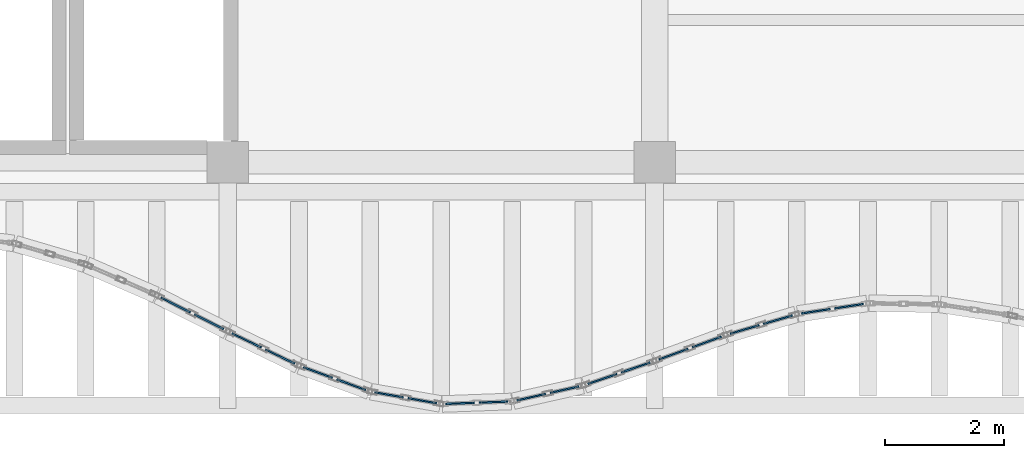
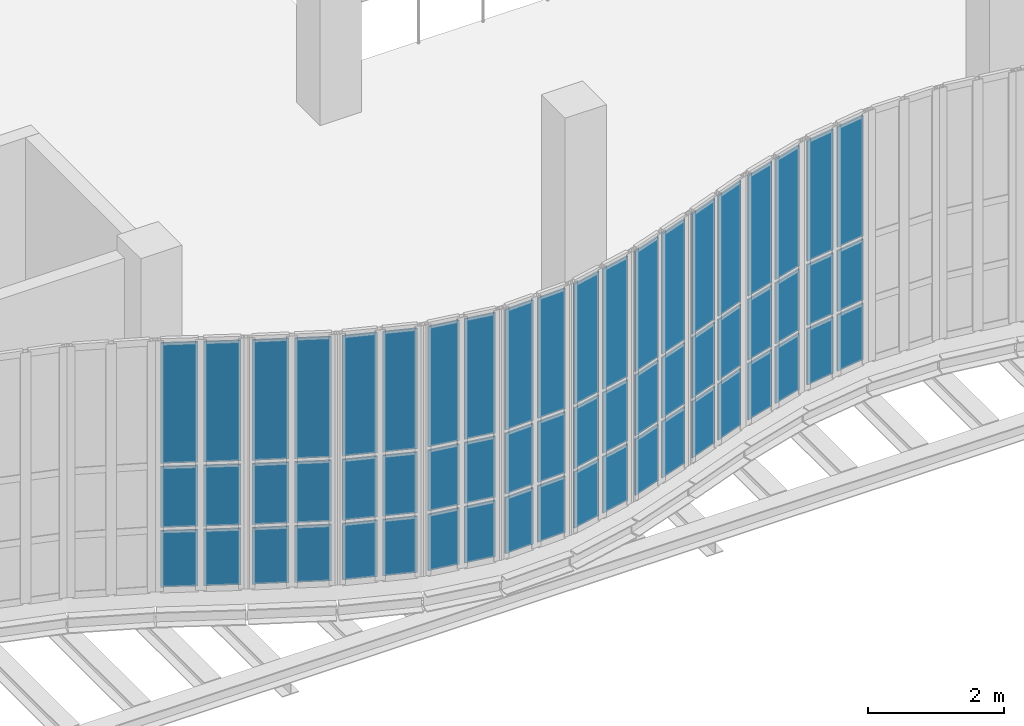
# One storey, part 77 of 108: 60 plates, 10 elements without a shape of their own.
"""IFC4 building model written with IfcOpenShell, lengths in metres."""

import ifcopenshell
import ifcopenshell.guid

model = None  # the IFC model being written
_history = None  # IfcOwnerHistory: only IFC2X3 demands one
_inside = {}  # id of a spatial element -> (the spatial element, [elements in it])
_under = {}  # id of a project, library or spatial element -> (it, [spatial elements below it])
_declared = {}  # id of a project -> (the project, [libraries it declares])
_typed = {}  # id of a type object -> (the type object, [elements of that type])
_made_of = {}  # id of a material, layer set ... -> (it, [elements and type objects made of it])


def new_model(schema):
    """Start an empty IFC model of exactly this schema.

    Asked for "IFC4X3", IfcOpenShell would pick the latest addendum, in which some entities
    have other attributes; the version numbers below select the first issue.
    IFC2X3 requires an IfcOwnerHistory on every rooted entity: one is made here for all.
    """
    global model, _history
    if schema == "IFC4X3":
        model = ifcopenshell.file(schema_version=(4, 3, 0, 0))
    else:
        model = ifcopenshell.file(schema=schema)
    _inside.clear()
    _under.clear()
    _declared.clear()
    _typed.clear()
    _made_of.clear()
    _history = None
    if model.schema == "IFC2X3":
        org = make("IfcOrganization", Name="unknown")
        user = make(
            "IfcPersonAndOrganization",
            ThePerson=make("IfcPerson", FamilyName="unknown"),
            TheOrganization=org,
        )
        app = make(
            "IfcApplication",
            ApplicationDeveloper=org,
            Version="unknown",
            ApplicationFullName="unknown",
            ApplicationIdentifier="unknown",
        )
        _history = make(
            "IfcOwnerHistory",
            OwningUser=user,
            OwningApplication=app,
            ChangeAction="ADDED",
            CreationDate=0,
        )
    return model


def make(cls, **values):
    """One entity of the class cls with the attributes given. An attribute that is None is left unset."""
    return model.create_entity(
        cls, **{name: value for name, value in values.items() if value is not None}
    )


def rooted(cls, **values):
    """An entity with a GlobalId (a new one), such as an element, a storey or a relation."""
    return make(cls, GlobalId=ifcopenshell.guid.new(), OwnerHistory=_history, **values)


def si_unit(unit_type, name, prefix=None):
    """IfcSIUnit, for example si_unit("LENGTHUNIT", "METRE", prefix="MILLI")."""
    return make("IfcSIUnit", UnitType=unit_type, Prefix=prefix, Name=name)


def assignment(units):
    """IfcUnitAssignment: the units of a project."""
    return None if units is None else make("IfcUnitAssignment", Units=units)


def point(xyz):
    """IfcCartesianPoint."""
    return None if xyz is None else make("IfcCartesianPoint", Coordinates=xyz)


def direction(xyz):
    """IfcDirection."""
    return None if xyz is None else make("IfcDirection", DirectionRatios=xyz)


def frame(location, z_axis=None, x_axis=None):
    """IfcAxis2Placement3D, a coordinate frame: its origin and axes. An axis left out is left unset."""
    return make(
        "IfcAxis2Placement3D",
        Location=point(location),
        Axis=direction(z_axis),
        RefDirection=direction(x_axis),
    )


def frame_2d(location, x_axis=None):
    """IfcAxis2Placement2D, a coordinate frame in the plane: its origin and x axis."""
    return make(
        "IfcAxis2Placement2D", Location=point(location), RefDirection=direction(x_axis)
    )


def origin():
    """The frame at (0, 0, 0) with its axes left unset."""
    return frame((0.0, 0.0, 0.0))


def origin_2d():
    """The frame at (0, 0) in the plane with its x axis left unset."""
    return frame_2d((0.0, 0.0))


def place(relative_to, where):
    """IfcLocalPlacement: puts the frame where relative to a parent placement (None: the world)."""
    return make(
        "IfcLocalPlacement", PlacementRelTo=relative_to, RelativePlacement=where
    )


def context(
    kind, dimensions, precision=None, world=None, true_north=None, identifier=None
):
    """IfcGeometricRepresentationContext, for example the 3D "Model" context."""
    return make(
        "IfcGeometricRepresentationContext",
        ContextIdentifier=identifier,
        ContextType=kind,
        CoordinateSpaceDimension=dimensions,
        Precision=precision,
        WorldCoordinateSystem=world,
        TrueNorth=true_north,
    )


def subcontext(parent, identifier, kind, view, scale=None):
    """IfcGeometricRepresentationSubContext, for example "Body" below "Model"."""
    return make(
        "IfcGeometricRepresentationSubContext",
        ContextIdentifier=identifier,
        ContextType=kind,
        ParentContext=parent,
        TargetScale=scale,
        TargetView=view,
    )


def project(units=None, contexts=None):
    """IfcProject with its units and contexts."""
    return rooted(
        "IfcProject",
        Name="project",
        RepresentationContexts=contexts,
        UnitsInContext=assignment(units),
    )


def spatial(cls, under=None, at=None, **own):
    """A site, building, storey or space (cls), placed at a placement, below another one or the project."""
    s = rooted(cls, ObjectPlacement=at, **own)
    if under is not None:
        _under.setdefault(under.id(), (under, []))[1].append(s)
    return s


def profile(cls, at=None, kind="AREA", **sizes):
    """A parametric profile (cls). Its sizes go by their IFC names, for example OverallWidth=200.0."""
    return make(cls, ProfileType=kind, Position=at, **sizes)


def rectangle(**sizes):
    """IfcRectangleProfileDef."""
    return profile("IfcRectangleProfileDef", **sizes)


def extrude(swept, where, along, depth):
    """IfcExtrudedAreaSolid: the profile swept, set in the frame where, extruded along a direction by depth."""
    return make(
        "IfcExtrudedAreaSolid",
        SweptArea=swept,
        Position=where,
        ExtrudedDirection=direction(along),
        Depth=depth,
    )


def shape(context_of_items, identifier, shape_type, items):
    """IfcShapeRepresentation: the items that make up one representation, for example the "Body"."""
    return make(
        "IfcShapeRepresentation",
        ContextOfItems=context_of_items,
        RepresentationIdentifier=identifier,
        RepresentationType=shape_type,
        Items=items,
    )


def material(Name=None, Category=None):
    """IfcMaterial."""
    return make("IfcMaterial", Name=Name, Category=Category)


def layer(
    of_material, thickness, ventilated=None, Name=None, Category=None, Priority=None
):
    """IfcMaterialLayer: one layer of a wall or slab, of a material (None: an air gap)."""
    return make(
        "IfcMaterialLayer",
        Material=of_material,
        LayerThickness=thickness,
        IsVentilated=ventilated,
        Name=Name,
        Category=Category,
        Priority=Priority,
    )


def layer_set(layers, Name=None):
    """IfcMaterialLayerSet."""
    return make("IfcMaterialLayerSet", MaterialLayers=layers, LayerSetName=Name)


def made_of(thing, what):
    """Note that an element or type object is made of a material, layer set ...; save() writes the relation."""
    if what is not None:
        _made_of.setdefault(what.id(), (what, []))[1].append(thing)
    return thing


def type_object(cls, material=None, **own):
    """A type object (cls), such as IfcWallType, which elements share."""
    return made_of(rooted(cls, **own), material)


def element(
    cls,
    number,
    at=None,
    inside=None,
    cuts=None,
    type_object=None,
    material=None,
    context=None,
    identifier="Body",
    shape_type=None,
    held_by="IfcProductDefinitionShape",
    body=None,
    shapes=None,
    **own,
):
    """One element of the class cls, such as IfcWall. Its Tag is "e" and its number.

    at: its placement. inside: the storey or other place that contains it. cuts: it is an
    opening in that element (IfcRelVoidsElement). A single representation is given by context,
    identifier, shape_type and body (its items); several are given by shapes. held_by: the class
    of the entity that holds the representations. save() writes the other relations.
    """
    e = rooted(cls, Tag="e%d" % number, ObjectPlacement=at, **own)
    if body is not None:
        shapes = [shape(context, identifier, shape_type, body)]
    if shapes is not None:
        e.Representation = make(held_by, Representations=shapes)
    if inside is not None:
        _inside.setdefault(inside.id(), (inside, []))[1].append(e)
    if cuts is not None:
        rooted(
            "IfcRelVoidsElement", RelatingBuildingElement=cuts, RelatedOpeningElement=e
        )
    if type_object is not None:
        _typed.setdefault(type_object.id(), (type_object, []))[1].append(e)
    return made_of(e, material)


def aggregate(whole, parts):
    """IfcRelAggregates: a whole, such as a stair, and the parts it consists of."""
    return rooted("IfcRelAggregates", RelatingObject=whole, RelatedObjects=parts)


def save(model, path):
    """Write the relations noted so far, then the file.

    IfcRelAggregates (storeys below a building ...), IfcRelContainedInSpatialStructure (elements
    in a storey), IfcRelDefinesByType, IfcRelAssociatesMaterial and IfcRelDeclares: one each for
    every whole, place, type object, material and project.
    """
    for whole, parts in _under.values():
        aggregate(whole, parts)
    for where, things in _inside.values():
        rooted(
            "IfcRelContainedInSpatialStructure",
            RelatedElements=things,
            RelatingStructure=where,
        )
    for kind, things in _typed.values():
        rooted("IfcRelDefinesByType", RelatedObjects=things, RelatingType=kind)
    for what, things in _made_of.values():
        rooted("IfcRelAssociatesMaterial", RelatedObjects=things, RelatingMaterial=what)
    for by, libraries in _declared.values():
        rooted("IfcRelDeclares", RelatingContext=by, RelatedDefinitions=libraries)
    model.write(path)


model = new_model("IFC4")

# Units and contexts
model_context = context("Model", 3, precision=1e-05, world=origin(), true_north=direction((0.0, 1.0)))
body_context = subcontext(model_context, "Body", "Model", "MODEL_VIEW")
ifc_project = project(units=[si_unit("LENGTHUNIT", "METRE"), si_unit("AREAUNIT", "SQUARE_METRE"), si_unit("VOLUMEUNIT", "CUBIC_METRE"), si_unit("PLANEANGLEUNIT", "RADIAN"), si_unit("MASSUNIT", "GRAM", prefix="KILO"), si_unit("THERMODYNAMICTEMPERATUREUNIT", "KELVIN"), si_unit("POWERUNIT", "WATT")], contexts=[model_context])

# Site, building, storey
site_placement = place(None, origin())
site = spatial("IfcSite", under=ifc_project, at=site_placement, CompositionType="ELEMENT")
building_placement = place(site_placement, origin())
building = spatial("IfcBuilding", under=site, at=building_placement, Name="Kaldorven Railside Theatre", CompositionType="ELEMENT")
storey_placement = place(building_placement, frame((0.0, 0.0, 5.39990234375)))
storey = spatial("IfcBuildingStorey", under=building, at=storey_placement, Name="L01", CompositionType="ELEMENT", Elevation=5.39990234375)

# Curtain wall, plates
ifc_material = material(Name="Low-E laminated solar-control glass", Category="glass")
ifc_layer_1 = layer(ifc_material, 0.159912109375, Name="Low-E laminated solar-control glass")
ifc_layer_set_1 = layer_set([ifc_layer_1], Name="Low-E laminated solar-control glass")
curtain_wall_type_1 = type_object("IfcCurtainWallType", Name="CWT-06", PredefinedType="USERDEFINED", material=ifc_layer_set_1)
curtain_wall_1_placement = place(storey_placement, origin())
curtain_wall_1 = element("IfcCurtainWall", 1, at=curtain_wall_1_placement, inside=storey, type_object=curtain_wall_type_1, Name="Sinusoidal Fluted Curtain Wall CW-L01-S30", ObjectType="FLUTED GLAZING", PredefinedType="USERDEFINED")
ifc_layer_2 = layer(ifc_material, 0.028076171875, Name="Low-E laminated solar-control glass")
ifc_layer_set_2 = layer_set([ifc_layer_2], Name="Low-E laminated solar-control glass")
plate_type = type_object("IfcPlateType", Name="CWP-GLZ28", PredefinedType="CURTAIN_PANEL", material=ifc_layer_set_2)
plate_1_placement = place(storey_placement, frame((71.917724609375, 16.793701171875, 0.06005859375), z_axis=(0.0, 0.0, 1.0), x_axis=(0.89230542934, -0.451432188451, 0.0)))
plate_1 = element("IfcPlate", 2, at=plate_1_placement, type_object=plate_type, Name="CW-L01-S30 panel 1.1", PredefinedType="CURTAIN_PANEL", context=body_context, shape_type="SweptSolid", body=[
    extrude(rectangle(XDim=0.552490234375, YDim=0.028076171875, at=origin_2d()), origin(), (0.0, 0.0, 1.0), 1.010009765625),
])
plate_2_placement = place(storey_placement, frame((71.917724609375, 16.793701171875, 1.1298828125), z_axis=(0.0, 0.0, 1.0), x_axis=(0.89230542934, -0.451432188451, 0.0)))
plate_2 = element("IfcPlate", 3, at=plate_2_placement, type_object=plate_type, Name="CW-L01-S30 panel 1.2", PredefinedType="CURTAIN_PANEL", context=body_context, shape_type="SweptSolid", body=[
    extrude(rectangle(XDim=0.552490234375, YDim=0.028076171875, at=origin_2d()), origin(), (0.0, 0.0, 1.0), 1.090087890625),
])
plate_3_placement = place(storey_placement, frame((71.917724609375, 16.793701171875, 2.2802734375), z_axis=(0.0, 0.0, 1.0), x_axis=(0.89230542934, -0.451432188451, 0.0)))
plate_3 = element("IfcPlate", 4, at=plate_3_placement, type_object=plate_type, Name="CW-L01-S30 panel 1.3", PredefinedType="CURTAIN_PANEL", context=body_context, shape_type="SweptSolid", body=[
    extrude(rectangle(XDim=0.552490234375, YDim=0.028076171875, at=origin_2d()), origin(), (0.0, 0.0, 1.0), 2.159912109375),
])
plate_4_placement = place(storey_placement, frame((72.482177734375, 16.508056640625, 0.06005859375), z_axis=(0.0, 0.0, 1.0), x_axis=(0.89230542934, -0.451432188451, 0.0)))
plate_4 = element("IfcPlate", 5, at=plate_4_placement, type_object=plate_type, Name="CW-L01-S30 panel 2.1", PredefinedType="CURTAIN_PANEL", context=body_context, shape_type="SweptSolid", body=[
    extrude(rectangle(XDim=0.552490234375, YDim=0.028076171875, at=origin_2d()), origin(), (0.0, 0.0, 1.0), 1.010009765625),
])
plate_5_placement = place(storey_placement, frame((72.482177734375, 16.508056640625, 1.1298828125), z_axis=(0.0, 0.0, 1.0), x_axis=(0.89230542934, -0.451432188451, 0.0)))
plate_5 = element("IfcPlate", 6, at=plate_5_placement, type_object=plate_type, Name="CW-L01-S30 panel 2.2", PredefinedType="CURTAIN_PANEL", context=body_context, shape_type="SweptSolid", body=[
    extrude(rectangle(XDim=0.552490234375, YDim=0.028076171875, at=origin_2d()), origin(), (0.0, 0.0, 1.0), 1.090087890625),
])
plate_6_placement = place(storey_placement, frame((72.482177734375, 16.508056640625, 2.2802734375), z_axis=(0.0, 0.0, 1.0), x_axis=(0.89230542934, -0.451432188451, 0.0)))
plate_6 = element("IfcPlate", 7, at=plate_6_placement, type_object=plate_type, Name="CW-L01-S30 panel 2.3", PredefinedType="CURTAIN_PANEL", context=body_context, shape_type="SweptSolid", body=[
    extrude(rectangle(XDim=0.552490234375, YDim=0.028076171875, at=origin_2d()), origin(), (0.0, 0.0, 1.0), 2.159912109375),
])
aggregate(curtain_wall_1, [plate_1, plate_2, plate_3, plate_4, plate_5, plate_6])

curtain_wall_2_placement = place(storey_placement, origin())
curtain_wall_2 = element("IfcCurtainWall", 8, at=curtain_wall_2_placement, inside=storey, type_object=curtain_wall_type_1, Name="Sinusoidal Fluted Curtain Wall CW-L01-S31", ObjectType="FLUTED GLAZING", PredefinedType="USERDEFINED")
plate_7_placement = place(storey_placement, frame((73.117919921875, 16.194091796875, 0.06005859375), z_axis=(0.0, 0.0, 1.0), x_axis=(0.900789656015, -0.434255680006, 0.0)))
plate_7 = element("IfcPlate", 9, at=plate_7_placement, type_object=plate_type, Name="CW-L01-S31 panel 1.1", PredefinedType="CURTAIN_PANEL", context=body_context, shape_type="SweptSolid", body=[
    extrude(rectangle(XDim=0.546142578125, YDim=0.028076171875, at=origin_2d()), origin(), (0.0, 0.0, 1.0), 1.010009765625),
])
plate_8_placement = place(storey_placement, frame((73.117919921875, 16.194091796875, 1.1298828125), z_axis=(0.0, 0.0, 1.0), x_axis=(0.900789656015, -0.434255680006, 0.0)))
plate_8 = element("IfcPlate", 10, at=plate_8_placement, type_object=plate_type, Name="CW-L01-S31 panel 1.2", PredefinedType="CURTAIN_PANEL", context=body_context, shape_type="SweptSolid", body=[
    extrude(rectangle(XDim=0.546142578125, YDim=0.028076171875, at=origin_2d()), origin(), (0.0, 0.0, 1.0), 1.090087890625),
])
plate_9_placement = place(storey_placement, frame((73.117919921875, 16.194091796875, 2.2802734375), z_axis=(0.0, 0.0, 1.0), x_axis=(0.900789656015, -0.434255680006, 0.0)))
plate_9 = element("IfcPlate", 11, at=plate_9_placement, type_object=plate_type, Name="CW-L01-S31 panel 1.3", PredefinedType="CURTAIN_PANEL", context=body_context, shape_type="SweptSolid", body=[
    extrude(rectangle(XDim=0.546142578125, YDim=0.028076171875, at=origin_2d()), origin(), (0.0, 0.0, 1.0), 2.159912109375),
])
plate_10_placement = place(storey_placement, frame((73.681884765625, 15.922119140625, 0.06005859375), z_axis=(0.0, 0.0, 1.0), x_axis=(0.900789656015, -0.434255680006, 0.0)))
plate_10 = element("IfcPlate", 12, at=plate_10_placement, type_object=plate_type, Name="CW-L01-S31 panel 2.1", PredefinedType="CURTAIN_PANEL", context=body_context, shape_type="SweptSolid", body=[
    extrude(rectangle(XDim=0.546142578125, YDim=0.028076171875, at=origin_2d()), origin(), (0.0, 0.0, 1.0), 1.010009765625),
])
plate_11_placement = place(storey_placement, frame((73.681884765625, 15.922119140625, 1.1298828125), z_axis=(0.0, 0.0, 1.0), x_axis=(0.900789656015, -0.434255680006, 0.0)))
plate_11 = element("IfcPlate", 13, at=plate_11_placement, type_object=plate_type, Name="CW-L01-S31 panel 2.2", PredefinedType="CURTAIN_PANEL", context=body_context, shape_type="SweptSolid", body=[
    extrude(rectangle(XDim=0.546142578125, YDim=0.028076171875, at=origin_2d()), origin(), (0.0, 0.0, 1.0), 1.090087890625),
])
plate_12_placement = place(storey_placement, frame((73.681884765625, 15.922119140625, 2.2802734375), z_axis=(0.0, 0.0, 1.0), x_axis=(0.900789656015, -0.434255680006, 0.0)))
plate_12 = element("IfcPlate", 14, at=plate_12_placement, type_object=plate_type, Name="CW-L01-S31 panel 2.3", PredefinedType="CURTAIN_PANEL", context=body_context, shape_type="SweptSolid", body=[
    extrude(rectangle(XDim=0.546142578125, YDim=0.028076171875, at=origin_2d()), origin(), (0.0, 0.0, 1.0), 2.159912109375),
])
aggregate(curtain_wall_2, [plate_7, plate_8, plate_9, plate_10, plate_11, plate_12])

ifc_layer_3 = layer(ifc_material, 0.159912109375, Name="Low-E laminated solar-control glass")
ifc_layer_set_3 = layer_set([ifc_layer_3], Name="Low-E laminated solar-control glass")
curtain_wall_type_2 = type_object("IfcCurtainWallType", Name="CWT-01", PredefinedType="USERDEFINED", material=ifc_layer_set_3)
curtain_wall_3_placement = place(storey_placement, origin())
curtain_wall_3 = element("IfcCurtainWall", 15, at=curtain_wall_3_placement, inside=storey, type_object=curtain_wall_type_2, Name="Sinusoidal Fluted Curtain Wall CW-L01-S32", ObjectType="FLUTED GLAZING", PredefinedType="USERDEFINED")
plate_13_placement = place(storey_placement, frame((74.31884765625, 15.65283203125, 0.06005859375), z_axis=(0.0, 0.0, 1.0), x_axis=(0.939759120976, -0.341837380258, 0.0)))
plate_13 = element("IfcPlate", 16, at=plate_13_placement, type_object=plate_type, Name="CW-L01-S32 panel 1.1", PredefinedType="CURTAIN_PANEL", context=body_context, shape_type="SweptSolid", body=[
    extrude(rectangle(XDim=0.5185546875, YDim=0.028076171875, at=origin_2d()), origin(), (0.0, 0.0, 1.0), 1.010009765625),
])
plate_14_placement = place(storey_placement, frame((74.31884765625, 15.65283203125, 1.1298828125), z_axis=(0.0, 0.0, 1.0), x_axis=(0.939759120976, -0.341837380258, 0.0)))
plate_14 = element("IfcPlate", 17, at=plate_14_placement, type_object=plate_type, Name="CW-L01-S32 panel 1.2", PredefinedType="CURTAIN_PANEL", context=body_context, shape_type="SweptSolid", body=[
    extrude(rectangle(XDim=0.5185546875, YDim=0.028076171875, at=origin_2d()), origin(), (0.0, 0.0, 1.0), 1.090087890625),
])
plate_15_placement = place(storey_placement, frame((74.31884765625, 15.65283203125, 2.2802734375), z_axis=(0.0, 0.0, 1.0), x_axis=(0.939759120976, -0.341837380258, 0.0)))
plate_15 = element("IfcPlate", 18, at=plate_15_placement, type_object=plate_type, Name="CW-L01-S32 panel 1.3", PredefinedType="CURTAIN_PANEL", context=body_context, shape_type="SweptSolid", body=[
    extrude(rectangle(XDim=0.5185546875, YDim=0.028076171875, at=origin_2d()), origin(), (0.0, 0.0, 1.0), 2.159912109375),
])
plate_16_placement = place(storey_placement, frame((74.881103515625, 15.4482421875, 0.06005859375), z_axis=(0.0, 0.0, 1.0), x_axis=(0.939759120976, -0.341837380258, 0.0)))
plate_16 = element("IfcPlate", 19, at=plate_16_placement, type_object=plate_type, Name="CW-L01-S32 panel 2.1", PredefinedType="CURTAIN_PANEL", context=body_context, shape_type="SweptSolid", body=[
    extrude(rectangle(XDim=0.5185546875, YDim=0.028076171875, at=origin_2d()), origin(), (0.0, 0.0, 1.0), 1.010009765625),
])
plate_17_placement = place(storey_placement, frame((74.881103515625, 15.4482421875, 1.1298828125), z_axis=(0.0, 0.0, 1.0), x_axis=(0.939759120976, -0.341837380258, 0.0)))
plate_17 = element("IfcPlate", 20, at=plate_17_placement, type_object=plate_type, Name="CW-L01-S32 panel 2.2", PredefinedType="CURTAIN_PANEL", context=body_context, shape_type="SweptSolid", body=[
    extrude(rectangle(XDim=0.5185546875, YDim=0.028076171875, at=origin_2d()), origin(), (0.0, 0.0, 1.0), 1.090087890625),
])
plate_18_placement = place(storey_placement, frame((74.881103515625, 15.4482421875, 2.2802734375), z_axis=(0.0, 0.0, 1.0), x_axis=(0.939759120976, -0.341837380258, 0.0)))
plate_18 = element("IfcPlate", 21, at=plate_18_placement, type_object=plate_type, Name="CW-L01-S32 panel 2.3", PredefinedType="CURTAIN_PANEL", context=body_context, shape_type="SweptSolid", body=[
    extrude(rectangle(XDim=0.5185546875, YDim=0.028076171875, at=origin_2d()), origin(), (0.0, 0.0, 1.0), 2.159912109375),
])
aggregate(curtain_wall_3, [plate_13, plate_14, plate_15, plate_16, plate_17, plate_18])

ifc_layer_4 = layer(ifc_material, 0.159912109375, Name="Low-E laminated solar-control glass")
ifc_layer_set_4 = layer_set([ifc_layer_4], Name="Low-E laminated solar-control glass")
curtain_wall_type_3 = type_object("IfcCurtainWallType", Name="CWT-07", PredefinedType="USERDEFINED", material=ifc_layer_set_4)
curtain_wall_4_placement = place(storey_placement, origin())
curtain_wall_4 = element("IfcCurtainWall", 22, at=curtain_wall_4_placement, inside=storey, type_object=curtain_wall_type_3, Name="Sinusoidal Fluted Curtain Wall CW-L01-S33", ObjectType="FLUTED GLAZING", PredefinedType="USERDEFINED")
plate_19_placement = place(storey_placement, frame((75.519775390625, 15.276123046875, 0.06005859375), z_axis=(0.0, 0.0, 1.0), x_axis=(0.984876781697, -0.173256240507, 0.0)))
plate_19 = element("IfcPlate", 23, at=plate_19_placement, type_object=plate_type, Name="CW-L01-S33 panel 1.1", PredefinedType="CURTAIN_PANEL", context=body_context, shape_type="SweptSolid", body=[
    extrude(rectangle(XDim=0.4892578125, YDim=0.028076171875, at=origin_2d()), origin(), (0.0, 0.0, 1.0), 1.010009765625),
])
plate_20_placement = place(storey_placement, frame((75.519775390625, 15.276123046875, 1.1298828125), z_axis=(0.0, 0.0, 1.0), x_axis=(0.984876781697, -0.173256240507, 0.0)))
plate_20 = element("IfcPlate", 24, at=plate_20_placement, type_object=plate_type, Name="CW-L01-S33 panel 1.2", PredefinedType="CURTAIN_PANEL", context=body_context, shape_type="SweptSolid", body=[
    extrude(rectangle(XDim=0.4892578125, YDim=0.028076171875, at=origin_2d()), origin(), (0.0, 0.0, 1.0), 1.090087890625),
])
plate_21_placement = place(storey_placement, frame((75.519775390625, 15.276123046875, 2.2802734375), z_axis=(0.0, 0.0, 1.0), x_axis=(0.984876781697, -0.173256240507, 0.0)))
plate_21 = element("IfcPlate", 25, at=plate_21_placement, type_object=plate_type, Name="CW-L01-S33 panel 1.3", PredefinedType="CURTAIN_PANEL", context=body_context, shape_type="SweptSolid", body=[
    extrude(rectangle(XDim=0.4892578125, YDim=0.028076171875, at=origin_2d()), origin(), (0.0, 0.0, 1.0), 2.159912109375),
])
plate_22_placement = place(storey_placement, frame((76.080322265625, 15.177490234375, 0.06005859375), z_axis=(0.0, 0.0, 1.0), x_axis=(0.984876781697, -0.173256240507, 0.0)))
plate_22 = element("IfcPlate", 26, at=plate_22_placement, type_object=plate_type, Name="CW-L01-S33 panel 2.1", PredefinedType="CURTAIN_PANEL", context=body_context, shape_type="SweptSolid", body=[
    extrude(rectangle(XDim=0.4892578125, YDim=0.028076171875, at=origin_2d()), origin(), (0.0, 0.0, 1.0), 1.010009765625),
])
plate_23_placement = place(storey_placement, frame((76.080322265625, 15.177490234375, 1.1298828125), z_axis=(0.0, 0.0, 1.0), x_axis=(0.984876781697, -0.173256240507, 0.0)))
plate_23 = element("IfcPlate", 27, at=plate_23_placement, type_object=plate_type, Name="CW-L01-S33 panel 2.2", PredefinedType="CURTAIN_PANEL", context=body_context, shape_type="SweptSolid", body=[
    extrude(rectangle(XDim=0.4892578125, YDim=0.028076171875, at=origin_2d()), origin(), (0.0, 0.0, 1.0), 1.090087890625),
])
plate_24_placement = place(storey_placement, frame((76.080322265625, 15.177490234375, 2.2802734375), z_axis=(0.0, 0.0, 1.0), x_axis=(0.984876781697, -0.173256240507, 0.0)))
plate_24 = element("IfcPlate", 28, at=plate_24_placement, type_object=plate_type, Name="CW-L01-S33 panel 2.3", PredefinedType="CURTAIN_PANEL", context=body_context, shape_type="SweptSolid", body=[
    extrude(rectangle(XDim=0.4892578125, YDim=0.028076171875, at=origin_2d()), origin(), (0.0, 0.0, 1.0), 2.159912109375),
])
aggregate(curtain_wall_4, [plate_19, plate_20, plate_21, plate_22, plate_23, plate_24])

ifc_layer_5 = layer(ifc_material, 0.159912109375, Name="Low-E laminated solar-control glass")
ifc_layer_set_5 = layer_set([ifc_layer_5], Name="Low-E laminated solar-control glass")
curtain_wall_type_4 = type_object("IfcCurtainWallType", Name="CWT-03", PredefinedType="USERDEFINED", material=ifc_layer_set_5)
curtain_wall_5_placement = place(storey_placement, origin())
curtain_wall_5 = element("IfcCurtainWall", 29, at=curtain_wall_5_placement, inside=storey, type_object=curtain_wall_type_4, Name="Sinusoidal Fluted Curtain Wall CW-L01-S34", ObjectType="FLUTED GLAZING", PredefinedType="USERDEFINED")
plate_25_placement = place(storey_placement, frame((76.719970703125, 15.133056640625, 0.06005859375), z_axis=(0.0, 0.0, 1.0), x_axis=(0.999313121546, 0.037057861594, 0.0)))
plate_25 = element("IfcPlate", 30, at=plate_25_placement, type_object=plate_type, Name="CW-L01-S34 panel 1.1", PredefinedType="CURTAIN_PANEL", context=body_context, shape_type="SweptSolid", body=[
    extrude(rectangle(XDim=0.48046875, YDim=0.028076171875, at=origin_2d()), origin(), (0.0, 0.0, 1.0), 1.010009765625),
])
plate_26_placement = place(storey_placement, frame((76.719970703125, 15.133056640625, 1.1298828125), z_axis=(0.0, 0.0, 1.0), x_axis=(0.999313121546, 0.037057861594, 0.0)))
plate_26 = element("IfcPlate", 31, at=plate_26_placement, type_object=plate_type, Name="CW-L01-S34 panel 1.2", PredefinedType="CURTAIN_PANEL", context=body_context, shape_type="SweptSolid", body=[
    extrude(rectangle(XDim=0.48046875, YDim=0.028076171875, at=origin_2d()), origin(), (0.0, 0.0, 1.0), 1.090087890625),
])
plate_27_placement = place(storey_placement, frame((76.719970703125, 15.133056640625, 2.2802734375), z_axis=(0.0, 0.0, 1.0), x_axis=(0.999313121546, 0.037057861594, 0.0)))
plate_27 = element("IfcPlate", 32, at=plate_27_placement, type_object=plate_type, Name="CW-L01-S34 panel 1.3", PredefinedType="CURTAIN_PANEL", context=body_context, shape_type="SweptSolid", body=[
    extrude(rectangle(XDim=0.48046875, YDim=0.028076171875, at=origin_2d()), origin(), (0.0, 0.0, 1.0), 2.159912109375),
])
plate_28_placement = place(storey_placement, frame((77.280029296875, 15.15380859375, 0.06005859375), z_axis=(0.0, 0.0, 1.0), x_axis=(0.999313121546, 0.037057861594, 0.0)))
plate_28 = element("IfcPlate", 33, at=plate_28_placement, type_object=plate_type, Name="CW-L01-S34 panel 2.1", PredefinedType="CURTAIN_PANEL", context=body_context, shape_type="SweptSolid", body=[
    extrude(rectangle(XDim=0.48046875, YDim=0.028076171875, at=origin_2d()), origin(), (0.0, 0.0, 1.0), 1.010009765625),
])
plate_29_placement = place(storey_placement, frame((77.280029296875, 15.15380859375, 1.1298828125), z_axis=(0.0, 0.0, 1.0), x_axis=(0.999313121546, 0.037057861594, 0.0)))
plate_29 = element("IfcPlate", 34, at=plate_29_placement, type_object=plate_type, Name="CW-L01-S34 panel 2.2", PredefinedType="CURTAIN_PANEL", context=body_context, shape_type="SweptSolid", body=[
    extrude(rectangle(XDim=0.48046875, YDim=0.028076171875, at=origin_2d()), origin(), (0.0, 0.0, 1.0), 1.090087890625),
])
plate_30_placement = place(storey_placement, frame((77.280029296875, 15.15380859375, 2.2802734375), z_axis=(0.0, 0.0, 1.0), x_axis=(0.999313121546, 0.037057861594, 0.0)))
plate_30 = element("IfcPlate", 35, at=plate_30_placement, type_object=plate_type, Name="CW-L01-S34 panel 2.3", PredefinedType="CURTAIN_PANEL", context=body_context, shape_type="SweptSolid", body=[
    extrude(rectangle(XDim=0.48046875, YDim=0.028076171875, at=origin_2d()), origin(), (0.0, 0.0, 1.0), 2.159912109375),
])
aggregate(curtain_wall_5, [plate_25, plate_26, plate_27, plate_28, plate_29, plate_30])

ifc_layer_6 = layer(ifc_material, 0.159912109375, Name="Low-E laminated solar-control glass")
ifc_layer_set_6 = layer_set([ifc_layer_6], Name="Low-E laminated solar-control glass")
curtain_wall_type_5 = type_object("IfcCurtainWallType", Name="CWT-02", PredefinedType="USERDEFINED", material=ifc_layer_set_6)
curtain_wall_6_placement = place(storey_placement, origin())
curtain_wall_6 = element("IfcCurtainWall", 36, at=curtain_wall_6_placement, inside=storey, type_object=curtain_wall_type_5, Name="Sinusoidal Fluted Curtain Wall CW-L01-S35", ObjectType="FLUTED GLAZING", PredefinedType="USERDEFINED")
plate_31_placement = place(storey_placement, frame((77.91943359375, 15.237548828125, 0.06005859375), z_axis=(0.0, 0.0, 1.0), x_axis=(0.975679356911, 0.219202628857, 0.0)))
plate_31 = element("IfcPlate", 37, at=plate_31_placement, type_object=plate_type, Name="CW-L01-S35 panel 1.1", PredefinedType="CURTAIN_PANEL", context=body_context, shape_type="SweptSolid", body=[
    extrude(rectangle(XDim=0.494873046875, YDim=0.028076171875, at=origin_2d()), origin(), (0.0, 0.0, 1.0), 1.010009765625),
])
plate_32_placement = place(storey_placement, frame((77.91943359375, 15.237548828125, 1.1298828125), z_axis=(0.0, 0.0, 1.0), x_axis=(0.975679356911, 0.219202628857, 0.0)))
plate_32 = element("IfcPlate", 38, at=plate_32_placement, type_object=plate_type, Name="CW-L01-S35 panel 1.2", PredefinedType="CURTAIN_PANEL", context=body_context, shape_type="SweptSolid", body=[
    extrude(rectangle(XDim=0.494873046875, YDim=0.028076171875, at=origin_2d()), origin(), (0.0, 0.0, 1.0), 1.090087890625),
])
plate_33_placement = place(storey_placement, frame((77.91943359375, 15.237548828125, 2.2802734375), z_axis=(0.0, 0.0, 1.0), x_axis=(0.975679356911, 0.219202628857, 0.0)))
plate_33 = element("IfcPlate", 39, at=plate_33_placement, type_object=plate_type, Name="CW-L01-S35 panel 1.3", PredefinedType="CURTAIN_PANEL", context=body_context, shape_type="SweptSolid", body=[
    extrude(rectangle(XDim=0.494873046875, YDim=0.028076171875, at=origin_2d()), origin(), (0.0, 0.0, 1.0), 2.159912109375),
])
plate_34_placement = place(storey_placement, frame((78.48046875, 15.363525390625, 0.06005859375), z_axis=(0.0, 0.0, 1.0), x_axis=(0.975679356911, 0.219202628857, 0.0)))
plate_34 = element("IfcPlate", 40, at=plate_34_placement, type_object=plate_type, Name="CW-L01-S35 panel 2.1", PredefinedType="CURTAIN_PANEL", context=body_context, shape_type="SweptSolid", body=[
    extrude(rectangle(XDim=0.494873046875, YDim=0.028076171875, at=origin_2d()), origin(), (0.0, 0.0, 1.0), 1.010009765625),
])
plate_35_placement = place(storey_placement, frame((78.48046875, 15.363525390625, 1.1298828125), z_axis=(0.0, 0.0, 1.0), x_axis=(0.975679356911, 0.219202628857, 0.0)))
plate_35 = element("IfcPlate", 41, at=plate_35_placement, type_object=plate_type, Name="CW-L01-S35 panel 2.2", PredefinedType="CURTAIN_PANEL", context=body_context, shape_type="SweptSolid", body=[
    extrude(rectangle(XDim=0.494873046875, YDim=0.028076171875, at=origin_2d()), origin(), (0.0, 0.0, 1.0), 1.090087890625),
])
plate_36_placement = place(storey_placement, frame((78.48046875, 15.363525390625, 2.2802734375), z_axis=(0.0, 0.0, 1.0), x_axis=(0.975679356911, 0.219202628857, 0.0)))
plate_36 = element("IfcPlate", 42, at=plate_36_placement, type_object=plate_type, Name="CW-L01-S35 panel 2.3", PredefinedType="CURTAIN_PANEL", context=body_context, shape_type="SweptSolid", body=[
    extrude(rectangle(XDim=0.494873046875, YDim=0.028076171875, at=origin_2d()), origin(), (0.0, 0.0, 1.0), 2.159912109375),
])
aggregate(curtain_wall_6, [plate_31, plate_32, plate_33, plate_34, plate_35, plate_36])

ifc_layer_7 = layer(ifc_material, 0.159912109375, Name="Low-E laminated solar-control glass")
ifc_layer_set_7 = layer_set([ifc_layer_7], Name="Low-E laminated solar-control glass")
curtain_wall_type_6 = type_object("IfcCurtainWallType", Name="CWT-04", PredefinedType="USERDEFINED", material=ifc_layer_set_7)
curtain_wall_7_placement = place(storey_placement, origin())
curtain_wall_7 = element("IfcCurtainWall", 43, at=curtain_wall_7_placement, inside=storey, type_object=curtain_wall_type_6, Name="Sinusoidal Fluted Curtain Wall CW-L01-S36", ObjectType="FLUTED GLAZING", PredefinedType="USERDEFINED")
plate_37_placement = place(storey_placement, frame((79.118896484375, 15.544677734375, 0.06005859375), z_axis=(0.0, 0.0, 1.0), x_axis=(0.946025386444, 0.324092530311, 0.0)))
plate_37 = element("IfcPlate", 44, at=plate_37_placement, type_object=plate_type, Name="CW-L01-S36 panel 1.1", PredefinedType="CURTAIN_PANEL", context=body_context, shape_type="SweptSolid", body=[
    extrude(rectangle(XDim=0.51416015625, YDim=0.028076171875, at=origin_2d()), origin(), (0.0, 0.0, 1.0), 1.010009765625),
])
plate_38_placement = place(storey_placement, frame((79.118896484375, 15.544677734375, 1.1298828125), z_axis=(0.0, 0.0, 1.0), x_axis=(0.946025386444, 0.324092530311, 0.0)))
plate_38 = element("IfcPlate", 45, at=plate_38_placement, type_object=plate_type, Name="CW-L01-S36 panel 1.2", PredefinedType="CURTAIN_PANEL", context=body_context, shape_type="SweptSolid", body=[
    extrude(rectangle(XDim=0.51416015625, YDim=0.028076171875, at=origin_2d()), origin(), (0.0, 0.0, 1.0), 1.090087890625),
])
plate_39_placement = place(storey_placement, frame((79.118896484375, 15.544677734375, 2.2802734375), z_axis=(0.0, 0.0, 1.0), x_axis=(0.946025386444, 0.324092530311, 0.0)))
plate_39 = element("IfcPlate", 46, at=plate_39_placement, type_object=plate_type, Name="CW-L01-S36 panel 1.3", PredefinedType="CURTAIN_PANEL", context=body_context, shape_type="SweptSolid", body=[
    extrude(rectangle(XDim=0.51416015625, YDim=0.028076171875, at=origin_2d()), origin(), (0.0, 0.0, 1.0), 2.159912109375),
])
plate_40_placement = place(storey_placement, frame((79.68115234375, 15.737060546875, 0.06005859375), z_axis=(0.0, 0.0, 1.0), x_axis=(0.946025386444, 0.324092530311, 0.0)))
plate_40 = element("IfcPlate", 47, at=plate_40_placement, type_object=plate_type, Name="CW-L01-S36 panel 2.1", PredefinedType="CURTAIN_PANEL", context=body_context, shape_type="SweptSolid", body=[
    extrude(rectangle(XDim=0.51416015625, YDim=0.028076171875, at=origin_2d()), origin(), (0.0, 0.0, 1.0), 1.010009765625),
])
plate_41_placement = place(storey_placement, frame((79.68115234375, 15.737060546875, 1.1298828125), z_axis=(0.0, 0.0, 1.0), x_axis=(0.946025386444, 0.324092530311, 0.0)))
plate_41 = element("IfcPlate", 48, at=plate_41_placement, type_object=plate_type, Name="CW-L01-S36 panel 2.2", PredefinedType="CURTAIN_PANEL", context=body_context, shape_type="SweptSolid", body=[
    extrude(rectangle(XDim=0.51416015625, YDim=0.028076171875, at=origin_2d()), origin(), (0.0, 0.0, 1.0), 1.090087890625),
])
plate_42_placement = place(storey_placement, frame((79.68115234375, 15.737060546875, 2.2802734375), z_axis=(0.0, 0.0, 1.0), x_axis=(0.946025386444, 0.324092530311, 0.0)))
plate_42 = element("IfcPlate", 49, at=plate_42_placement, type_object=plate_type, Name="CW-L01-S36 panel 2.3", PredefinedType="CURTAIN_PANEL", context=body_context, shape_type="SweptSolid", body=[
    extrude(rectangle(XDim=0.51416015625, YDim=0.028076171875, at=origin_2d()), origin(), (0.0, 0.0, 1.0), 2.159912109375),
])
aggregate(curtain_wall_7, [plate_37, plate_38, plate_39, plate_40, plate_41, plate_42])

curtain_wall_8_placement = place(storey_placement, origin())
curtain_wall_8 = element("IfcCurtainWall", 50, at=curtain_wall_8_placement, inside=storey, type_object=curtain_wall_type_2, Name="Sinusoidal Fluted Curtain Wall CW-L01-S37", ObjectType="FLUTED GLAZING", PredefinedType="USERDEFINED")
plate_43_placement = place(storey_placement, frame((80.31884765625, 15.962890625, 0.06005859375), z_axis=(0.0, 0.0, 1.0), x_axis=(0.939154260097, 0.343495670631, 0.0)))
plate_43 = element("IfcPlate", 51, at=plate_43_placement, type_object=plate_type, Name="CW-L01-S37 panel 1.1", PredefinedType="CURTAIN_PANEL", context=body_context, shape_type="SweptSolid", body=[
    extrude(rectangle(XDim=0.518798828125, YDim=0.028076171875, at=origin_2d()), origin(), (0.0, 0.0, 1.0), 1.010009765625),
])
plate_44_placement = place(storey_placement, frame((80.31884765625, 15.962890625, 1.1298828125), z_axis=(0.0, 0.0, 1.0), x_axis=(0.939154260097, 0.343495670631, 0.0)))
plate_44 = element("IfcPlate", 52, at=plate_44_placement, type_object=plate_type, Name="CW-L01-S37 panel 1.2", PredefinedType="CURTAIN_PANEL", context=body_context, shape_type="SweptSolid", body=[
    extrude(rectangle(XDim=0.518798828125, YDim=0.028076171875, at=origin_2d()), origin(), (0.0, 0.0, 1.0), 1.090087890625),
])
plate_45_placement = place(storey_placement, frame((80.31884765625, 15.962890625, 2.2802734375), z_axis=(0.0, 0.0, 1.0), x_axis=(0.939154260097, 0.343495670631, 0.0)))
plate_45 = element("IfcPlate", 53, at=plate_45_placement, type_object=plate_type, Name="CW-L01-S37 panel 1.3", PredefinedType="CURTAIN_PANEL", context=body_context, shape_type="SweptSolid", body=[
    extrude(rectangle(XDim=0.518798828125, YDim=0.028076171875, at=origin_2d()), origin(), (0.0, 0.0, 1.0), 2.159912109375),
])
plate_46_placement = place(storey_placement, frame((80.881103515625, 16.168701171875, 0.06005859375), z_axis=(0.0, 0.0, 1.0), x_axis=(0.939154260097, 0.343495670631, 0.0)))
plate_46 = element("IfcPlate", 54, at=plate_46_placement, type_object=plate_type, Name="CW-L01-S37 panel 2.1", PredefinedType="CURTAIN_PANEL", context=body_context, shape_type="SweptSolid", body=[
    extrude(rectangle(XDim=0.518798828125, YDim=0.028076171875, at=origin_2d()), origin(), (0.0, 0.0, 1.0), 1.010009765625),
])
plate_47_placement = place(storey_placement, frame((80.881103515625, 16.168701171875, 1.1298828125), z_axis=(0.0, 0.0, 1.0), x_axis=(0.939154260097, 0.343495670631, 0.0)))
plate_47 = element("IfcPlate", 55, at=plate_47_placement, type_object=plate_type, Name="CW-L01-S37 panel 2.2", PredefinedType="CURTAIN_PANEL", context=body_context, shape_type="SweptSolid", body=[
    extrude(rectangle(XDim=0.518798828125, YDim=0.028076171875, at=origin_2d()), origin(), (0.0, 0.0, 1.0), 1.090087890625),
])
plate_48_placement = place(storey_placement, frame((80.881103515625, 16.168701171875, 2.2802734375), z_axis=(0.0, 0.0, 1.0), x_axis=(0.939154260097, 0.343495670631, 0.0)))
plate_48 = element("IfcPlate", 56, at=plate_48_placement, type_object=plate_type, Name="CW-L01-S37 panel 2.3", PredefinedType="CURTAIN_PANEL", context=body_context, shape_type="SweptSolid", body=[
    extrude(rectangle(XDim=0.518798828125, YDim=0.028076171875, at=origin_2d()), origin(), (0.0, 0.0, 1.0), 2.159912109375),
])
aggregate(curtain_wall_8, [plate_43, plate_44, plate_45, plate_46, plate_47, plate_48])

curtain_wall_9_placement = place(storey_placement, origin())
curtain_wall_9 = element("IfcCurtainWall", 57, at=curtain_wall_9_placement, inside=storey, type_object=curtain_wall_type_6, Name="Sinusoidal Fluted Curtain Wall CW-L01-S38", ObjectType="FLUTED GLAZING", PredefinedType="USERDEFINED")
plate_49_placement = place(storey_placement, frame((81.519287109375, 16.379150390625, 0.06005859375), z_axis=(0.0, 0.0, 1.0), x_axis=(0.959417682773, 0.281988847266, 0.0)))
plate_49 = element("IfcPlate", 58, at=plate_49_placement, type_object=plate_type, Name="CW-L01-S38 panel 1.1", PredefinedType="CURTAIN_PANEL", context=body_context, shape_type="SweptSolid", body=[
    extrude(rectangle(XDim=0.50537109375, YDim=0.028076171875, at=origin_2d()), origin(), (0.0, 0.0, 1.0), 1.010009765625),
])
plate_50_placement = place(storey_placement, frame((81.519287109375, 16.379150390625, 1.1298828125), z_axis=(0.0, 0.0, 1.0), x_axis=(0.959417682773, 0.281988847266, 0.0)))
plate_50 = element("IfcPlate", 59, at=plate_50_placement, type_object=plate_type, Name="CW-L01-S38 panel 1.2", PredefinedType="CURTAIN_PANEL", context=body_context, shape_type="SweptSolid", body=[
    extrude(rectangle(XDim=0.50537109375, YDim=0.028076171875, at=origin_2d()), origin(), (0.0, 0.0, 1.0), 1.090087890625),
])
plate_51_placement = place(storey_placement, frame((81.519287109375, 16.379150390625, 2.2802734375), z_axis=(0.0, 0.0, 1.0), x_axis=(0.959417682773, 0.281988847266, 0.0)))
plate_51 = element("IfcPlate", 60, at=plate_51_placement, type_object=plate_type, Name="CW-L01-S38 panel 1.3", PredefinedType="CURTAIN_PANEL", context=body_context, shape_type="SweptSolid", body=[
    extrude(rectangle(XDim=0.50537109375, YDim=0.028076171875, at=origin_2d()), origin(), (0.0, 0.0, 1.0), 2.159912109375),
])
plate_52_placement = place(storey_placement, frame((82.080810546875, 16.544189453125, 0.06005859375), z_axis=(0.0, 0.0, 1.0), x_axis=(0.959417682773, 0.281988847266, 0.0)))
plate_52 = element("IfcPlate", 61, at=plate_52_placement, type_object=plate_type, Name="CW-L01-S38 panel 2.1", PredefinedType="CURTAIN_PANEL", context=body_context, shape_type="SweptSolid", body=[
    extrude(rectangle(XDim=0.50537109375, YDim=0.028076171875, at=origin_2d()), origin(), (0.0, 0.0, 1.0), 1.010009765625),
])
plate_53_placement = place(storey_placement, frame((82.080810546875, 16.544189453125, 1.1298828125), z_axis=(0.0, 0.0, 1.0), x_axis=(0.959417682773, 0.281988847266, 0.0)))
plate_53 = element("IfcPlate", 62, at=plate_53_placement, type_object=plate_type, Name="CW-L01-S38 panel 2.2", PredefinedType="CURTAIN_PANEL", context=body_context, shape_type="SweptSolid", body=[
    extrude(rectangle(XDim=0.50537109375, YDim=0.028076171875, at=origin_2d()), origin(), (0.0, 0.0, 1.0), 1.090087890625),
])
plate_54_placement = place(storey_placement, frame((82.080810546875, 16.544189453125, 2.2802734375), z_axis=(0.0, 0.0, 1.0), x_axis=(0.959417682773, 0.281988847266, 0.0)))
plate_54 = element("IfcPlate", 63, at=plate_54_placement, type_object=plate_type, Name="CW-L01-S38 panel 2.3", PredefinedType="CURTAIN_PANEL", context=body_context, shape_type="SweptSolid", body=[
    extrude(rectangle(XDim=0.50537109375, YDim=0.028076171875, at=origin_2d()), origin(), (0.0, 0.0, 1.0), 2.159912109375),
])
aggregate(curtain_wall_9, [plate_49, plate_50, plate_51, plate_52, plate_53, plate_54])

curtain_wall_10_placement = place(storey_placement, origin())
curtain_wall_10 = element("IfcCurtainWall", 64, at=curtain_wall_10_placement, inside=storey, type_object=curtain_wall_type_3, Name="Sinusoidal Fluted Curtain Wall CW-L01-S39", ObjectType="FLUTED GLAZING", PredefinedType="USERDEFINED")
plate_55_placement = place(storey_placement, frame((82.7197265625, 16.686767578125, 0.06005859375), z_axis=(0.0, 0.0, 1.0), x_axis=(0.988546274973, 0.150918064648, 0.0)))
plate_55 = element("IfcPlate", 65, at=plate_55_placement, type_object=plate_type, Name="CW-L01-S39 panel 1.1", PredefinedType="CURTAIN_PANEL", context=body_context, shape_type="SweptSolid", body=[
    extrude(rectangle(XDim=0.487060546875, YDim=0.028076171875, at=origin_2d()), origin(), (0.0, 0.0, 1.0), 1.010009765625),
])
plate_56_placement = place(storey_placement, frame((82.7197265625, 16.686767578125, 1.1298828125), z_axis=(0.0, 0.0, 1.0), x_axis=(0.988546274973, 0.150918064648, 0.0)))
plate_56 = element("IfcPlate", 66, at=plate_56_placement, type_object=plate_type, Name="CW-L01-S39 panel 1.2", PredefinedType="CURTAIN_PANEL", context=body_context, shape_type="SweptSolid", body=[
    extrude(rectangle(XDim=0.487060546875, YDim=0.028076171875, at=origin_2d()), origin(), (0.0, 0.0, 1.0), 1.090087890625),
])
plate_57_placement = place(storey_placement, frame((82.7197265625, 16.686767578125, 2.2802734375), z_axis=(0.0, 0.0, 1.0), x_axis=(0.988546274973, 0.150918064648, 0.0)))
plate_57 = element("IfcPlate", 67, at=plate_57_placement, type_object=plate_type, Name="CW-L01-S39 panel 1.3", PredefinedType="CURTAIN_PANEL", context=body_context, shape_type="SweptSolid", body=[
    extrude(rectangle(XDim=0.487060546875, YDim=0.028076171875, at=origin_2d()), origin(), (0.0, 0.0, 1.0), 2.159912109375),
])
plate_58_placement = place(storey_placement, frame((83.2802734375, 16.7724609375, 0.06005859375), z_axis=(0.0, 0.0, 1.0), x_axis=(0.988546274973, 0.150918064648, 0.0)))
plate_58 = element("IfcPlate", 68, at=plate_58_placement, type_object=plate_type, Name="CW-L01-S39 panel 2.1", PredefinedType="CURTAIN_PANEL", context=body_context, shape_type="SweptSolid", body=[
    extrude(rectangle(XDim=0.487060546875, YDim=0.028076171875, at=origin_2d()), origin(), (0.0, 0.0, 1.0), 1.010009765625),
])
plate_59_placement = place(storey_placement, frame((83.2802734375, 16.7724609375, 1.1298828125), z_axis=(0.0, 0.0, 1.0), x_axis=(0.988546274973, 0.150918064648, 0.0)))
plate_59 = element("IfcPlate", 69, at=plate_59_placement, type_object=plate_type, Name="CW-L01-S39 panel 2.2", PredefinedType="CURTAIN_PANEL", context=body_context, shape_type="SweptSolid", body=[
    extrude(rectangle(XDim=0.487060546875, YDim=0.028076171875, at=origin_2d()), origin(), (0.0, 0.0, 1.0), 1.090087890625),
])
plate_60_placement = place(storey_placement, frame((83.2802734375, 16.7724609375, 2.2802734375), z_axis=(0.0, 0.0, 1.0), x_axis=(0.988546274973, 0.150918064648, 0.0)))
plate_60 = element("IfcPlate", 70, at=plate_60_placement, type_object=plate_type, Name="CW-L01-S39 panel 2.3", PredefinedType="CURTAIN_PANEL", context=body_context, shape_type="SweptSolid", body=[
    extrude(rectangle(XDim=0.487060546875, YDim=0.028076171875, at=origin_2d()), origin(), (0.0, 0.0, 1.0), 2.159912109375),
])
aggregate(curtain_wall_10, [plate_55, plate_56, plate_57, plate_58, plate_59, plate_60])

save(model, "model.ifc")
